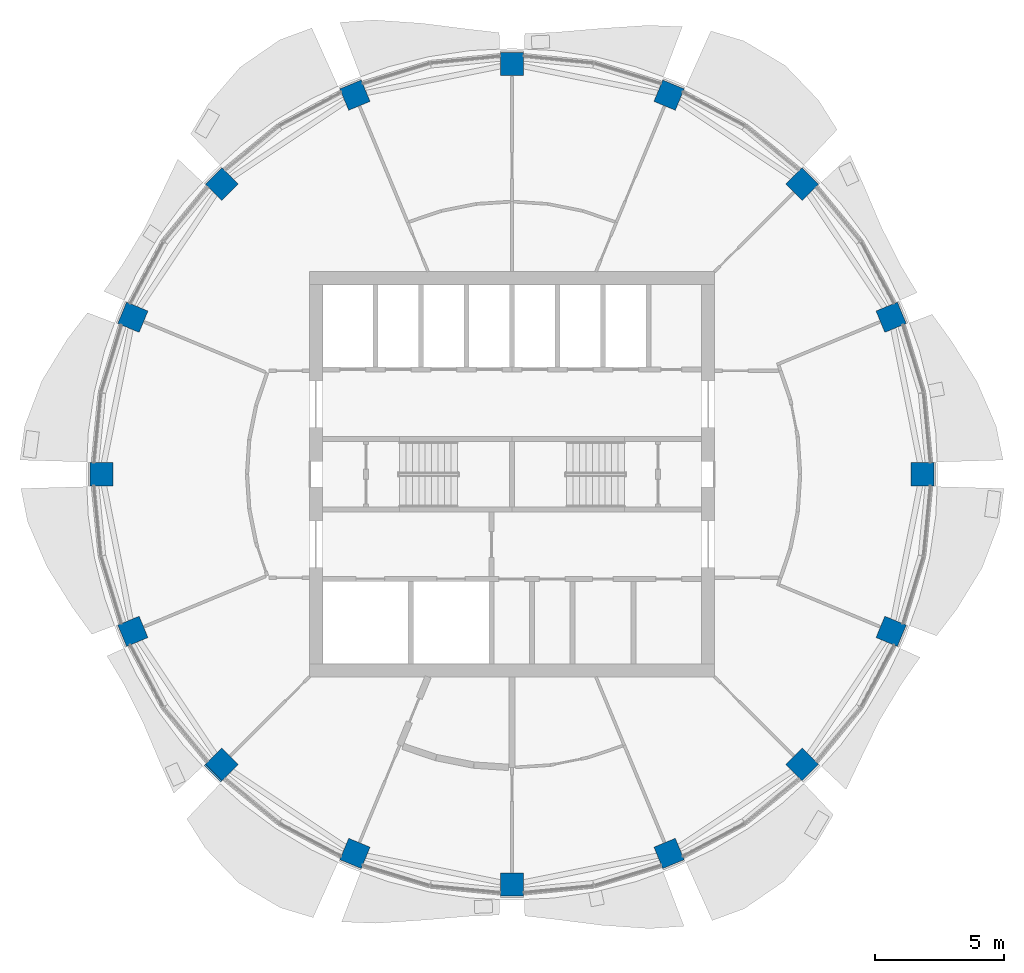
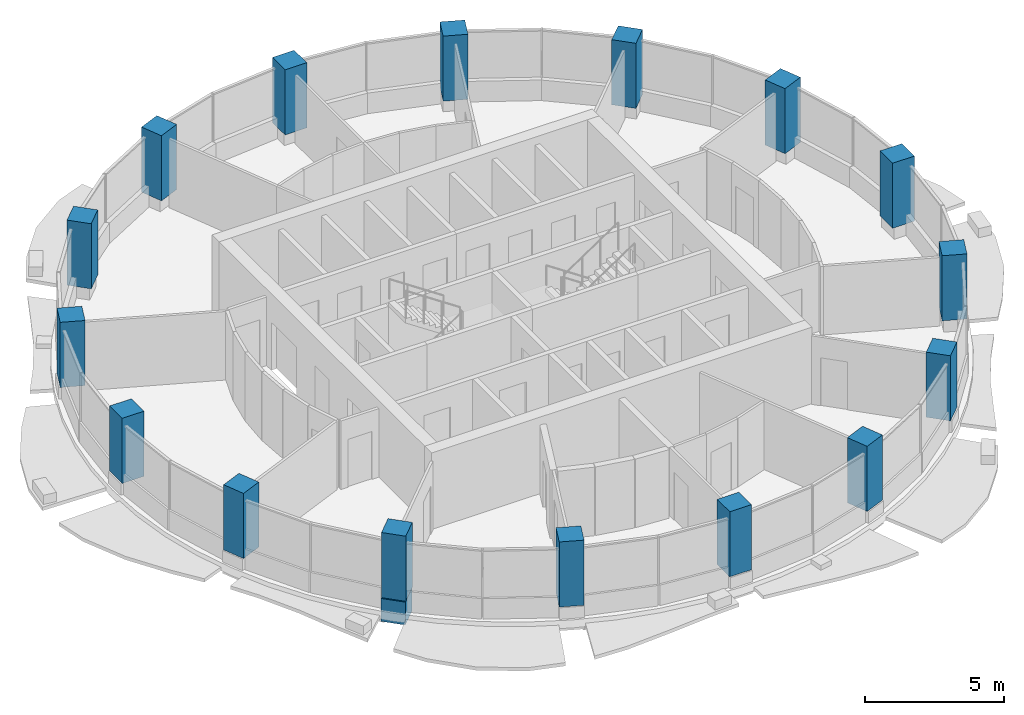
# One storey, part 1 of 15: 16 columns, 1 member.
"""IFC4 building model written with IfcOpenShell, lengths in metres."""

import ifcopenshell
import ifcopenshell.guid

model = None  # the IFC model being written
_history = None  # IfcOwnerHistory: only IFC2X3 demands one
_inside = {}  # id of a spatial element -> (the spatial element, [elements in it])
_under = {}  # id of a project, library or spatial element -> (it, [spatial elements below it])
_declared = {}  # id of a project -> (the project, [libraries it declares])
_typed = {}  # id of a type object -> (the type object, [elements of that type])
_made_of = {}  # id of a material, layer set ... -> (it, [elements and type objects made of it])


def new_model(schema):
    """Start an empty IFC model of exactly this schema.

    Asked for "IFC4X3", IfcOpenShell would pick the latest addendum, in which some entities
    have other attributes; the version numbers below select the first issue.
    IFC2X3 requires an IfcOwnerHistory on every rooted entity: one is made here for all.
    """
    global model, _history
    if schema == "IFC4X3":
        model = ifcopenshell.file(schema_version=(4, 3, 0, 0))
    else:
        model = ifcopenshell.file(schema=schema)
    _inside.clear()
    _under.clear()
    _declared.clear()
    _typed.clear()
    _made_of.clear()
    _history = None
    if model.schema == "IFC2X3":
        org = make("IfcOrganization", Name="unknown")
        user = make(
            "IfcPersonAndOrganization",
            ThePerson=make("IfcPerson", FamilyName="unknown"),
            TheOrganization=org,
        )
        app = make(
            "IfcApplication",
            ApplicationDeveloper=org,
            Version="unknown",
            ApplicationFullName="unknown",
            ApplicationIdentifier="unknown",
        )
        _history = make(
            "IfcOwnerHistory",
            OwningUser=user,
            OwningApplication=app,
            ChangeAction="ADDED",
            CreationDate=0,
        )
    return model


def make(cls, **values):
    """One entity of the class cls with the attributes given. An attribute that is None is left unset."""
    return model.create_entity(
        cls, **{name: value for name, value in values.items() if value is not None}
    )


def rooted(cls, **values):
    """An entity with a GlobalId (a new one), such as an element, a storey or a relation."""
    return make(cls, GlobalId=ifcopenshell.guid.new(), OwnerHistory=_history, **values)


def si_unit(unit_type, name, prefix=None):
    """IfcSIUnit, for example si_unit("LENGTHUNIT", "METRE", prefix="MILLI")."""
    return make("IfcSIUnit", UnitType=unit_type, Prefix=prefix, Name=name)


def assignment(units):
    """IfcUnitAssignment: the units of a project."""
    return None if units is None else make("IfcUnitAssignment", Units=units)


def point(xyz):
    """IfcCartesianPoint."""
    return None if xyz is None else make("IfcCartesianPoint", Coordinates=xyz)


def direction(xyz):
    """IfcDirection."""
    return None if xyz is None else make("IfcDirection", DirectionRatios=xyz)


def frame(location, z_axis=None, x_axis=None):
    """IfcAxis2Placement3D, a coordinate frame: its origin and axes. An axis left out is left unset."""
    return make(
        "IfcAxis2Placement3D",
        Location=point(location),
        Axis=direction(z_axis),
        RefDirection=direction(x_axis),
    )


def frame_2d(location, x_axis=None):
    """IfcAxis2Placement2D, a coordinate frame in the plane: its origin and x axis."""
    return make(
        "IfcAxis2Placement2D", Location=point(location), RefDirection=direction(x_axis)
    )


def origin():
    """The frame at (0, 0, 0) with its axes left unset."""
    return frame((0.0, 0.0, 0.0))


def origin_2d():
    """The frame at (0, 0) in the plane with its x axis left unset."""
    return frame_2d((0.0, 0.0))


def place(relative_to, where):
    """IfcLocalPlacement: puts the frame where relative to a parent placement (None: the world)."""
    return make(
        "IfcLocalPlacement", PlacementRelTo=relative_to, RelativePlacement=where
    )


def context(
    kind, dimensions, precision=None, world=None, true_north=None, identifier=None
):
    """IfcGeometricRepresentationContext, for example the 3D "Model" context."""
    return make(
        "IfcGeometricRepresentationContext",
        ContextIdentifier=identifier,
        ContextType=kind,
        CoordinateSpaceDimension=dimensions,
        Precision=precision,
        WorldCoordinateSystem=world,
        TrueNorth=true_north,
    )


def subcontext(parent, identifier, kind, view, scale=None):
    """IfcGeometricRepresentationSubContext, for example "Body" below "Model"."""
    return make(
        "IfcGeometricRepresentationSubContext",
        ContextIdentifier=identifier,
        ContextType=kind,
        ParentContext=parent,
        TargetScale=scale,
        TargetView=view,
    )


def project(units=None, contexts=None):
    """IfcProject with its units and contexts."""
    return rooted(
        "IfcProject",
        Name="project",
        RepresentationContexts=contexts,
        UnitsInContext=assignment(units),
    )


def spatial(cls, under=None, at=None, **own):
    """A site, building, storey or space (cls), placed at a placement, below another one or the project."""
    s = rooted(cls, ObjectPlacement=at, **own)
    if under is not None:
        _under.setdefault(under.id(), (under, []))[1].append(s)
    return s


def profile(cls, at=None, kind="AREA", **sizes):
    """A parametric profile (cls). Its sizes go by their IFC names, for example OverallWidth=200.0."""
    return make(cls, ProfileType=kind, Position=at, **sizes)


def rectangle(**sizes):
    """IfcRectangleProfileDef."""
    return profile("IfcRectangleProfileDef", **sizes)


def extrude(swept, where, along, depth):
    """IfcExtrudedAreaSolid: the profile swept, set in the frame where, extruded along a direction by depth."""
    return make(
        "IfcExtrudedAreaSolid",
        SweptArea=swept,
        Position=where,
        ExtrudedDirection=direction(along),
        Depth=depth,
    )


def shape(context_of_items, identifier, shape_type, items):
    """IfcShapeRepresentation: the items that make up one representation, for example the "Body"."""
    return make(
        "IfcShapeRepresentation",
        ContextOfItems=context_of_items,
        RepresentationIdentifier=identifier,
        RepresentationType=shape_type,
        Items=items,
    )


def material(Name=None, Category=None):
    """IfcMaterial."""
    return make("IfcMaterial", Name=Name, Category=Category)


def material_profile(
    of_material, cross_section, Name=None, Category=None, Priority=None
):
    """IfcMaterialProfile: a cross section and its material."""
    return make(
        "IfcMaterialProfile",
        Name=Name,
        Material=of_material,
        Profile=cross_section,
        Priority=Priority,
        Category=Category,
    )


def profile_set(profiles, Name=None, composite=None):
    """IfcMaterialProfileSet."""
    return make(
        "IfcMaterialProfileSet",
        Name=Name,
        MaterialProfiles=profiles,
        CompositeProfile=composite,
    )


def made_of(thing, what):
    """Note that an element or type object is made of a material, layer set ...; save() writes the relation."""
    if what is not None:
        _made_of.setdefault(what.id(), (what, []))[1].append(thing)
    return thing


def type_object(cls, material=None, **own):
    """A type object (cls), such as IfcWallType, which elements share."""
    return made_of(rooted(cls, **own), material)


def element(
    cls,
    number,
    at=None,
    inside=None,
    cuts=None,
    type_object=None,
    material=None,
    context=None,
    identifier="Body",
    shape_type=None,
    held_by="IfcProductDefinitionShape",
    body=None,
    shapes=None,
    **own,
):
    """One element of the class cls, such as IfcWall. Its Tag is "e" and its number.

    at: its placement. inside: the storey or other place that contains it. cuts: it is an
    opening in that element (IfcRelVoidsElement). A single representation is given by context,
    identifier, shape_type and body (its items); several are given by shapes. held_by: the class
    of the entity that holds the representations. save() writes the other relations.
    """
    e = rooted(cls, Tag="e%d" % number, ObjectPlacement=at, **own)
    if body is not None:
        shapes = [shape(context, identifier, shape_type, body)]
    if shapes is not None:
        e.Representation = make(held_by, Representations=shapes)
    if inside is not None:
        _inside.setdefault(inside.id(), (inside, []))[1].append(e)
    if cuts is not None:
        rooted(
            "IfcRelVoidsElement", RelatingBuildingElement=cuts, RelatedOpeningElement=e
        )
    if type_object is not None:
        _typed.setdefault(type_object.id(), (type_object, []))[1].append(e)
    return made_of(e, material)


def aggregate(whole, parts):
    """IfcRelAggregates: a whole, such as a stair, and the parts it consists of."""
    return rooted("IfcRelAggregates", RelatingObject=whole, RelatedObjects=parts)


def save(model, path):
    """Write the relations noted so far, then the file.

    IfcRelAggregates (storeys below a building ...), IfcRelContainedInSpatialStructure (elements
    in a storey), IfcRelDefinesByType, IfcRelAssociatesMaterial and IfcRelDeclares: one each for
    every whole, place, type object, material and project.
    """
    for whole, parts in _under.values():
        aggregate(whole, parts)
    for where, things in _inside.values():
        rooted(
            "IfcRelContainedInSpatialStructure",
            RelatedElements=things,
            RelatingStructure=where,
        )
    for kind, things in _typed.values():
        rooted("IfcRelDefinesByType", RelatedObjects=things, RelatingType=kind)
    for what, things in _made_of.values():
        rooted("IfcRelAssociatesMaterial", RelatedObjects=things, RelatingMaterial=what)
    for by, libraries in _declared.values():
        rooted("IfcRelDeclares", RelatingContext=by, RelatedDefinitions=libraries)
    model.write(path)


model = new_model("IFC4")

# Units and contexts
model_context = context("Model", 3, precision=1e-05, world=origin(), true_north=direction((0.0, 1.0)))
body_context = subcontext(model_context, "Body", "Model", "MODEL_VIEW")
ifc_project = project(units=[si_unit("LENGTHUNIT", "METRE"), si_unit("AREAUNIT", "SQUARE_METRE"), si_unit("VOLUMEUNIT", "CUBIC_METRE"), si_unit("PLANEANGLEUNIT", "RADIAN"), si_unit("MASSUNIT", "GRAM", prefix="KILO")], contexts=[model_context])

# Site, building, storey
site_placement = place(None, origin())
site = spatial("IfcSite", under=ifc_project, at=site_placement, CompositionType="ELEMENT")
building_placement = place(site_placement, origin())
building = spatial("IfcBuilding", under=site, at=building_placement, Name="Polderwave Tower", CompositionType="ELEMENT")
storey_placement = place(building_placement, frame((0.0, 0.0, 207.75)))
storey = spatial("IfcBuildingStorey", under=building, at=storey_placement, Name="L56", CompositionType="ELEMENT", Elevation=207.75)

# Columns
ifc_material = material(Name="Concrete C60/75", Category="concrete")
ifc_material_profile_1 = material_profile(ifc_material, rectangle(XDim=0.89990234375, YDim=0.89990234375, at=origin_2d()), Name="RC 900x900")
ifc_profile_set_1 = profile_set([ifc_material_profile_1], Name="Concrete C60/75")
column_type = type_object("IfcColumnType", Name="RC COLUMN 900x900 C60/75", PredefinedType="COLUMN", material=ifc_profile_set_1)
for number, where, z_axis, x_axis, name in (
    (1, (15.949951171875, 0.0, 0.5), (0.0, 0.0, 1.0), (1.0, 0.0, 0.0), "Ring column 01"),
    (2, (14.73583984375, 6.103759765625, 0.5), (0.0, 0.0, 1.0), (0.923879532511, 0.382683432365, 0.0), "Ring column 02"),
    (3, (11.2783203125, 11.2783203125, 0.5), (0.0, 0.0, 1.0), (0.707106781187, 0.707106781187, 0.0), "Ring column 03"),
    (4, (6.103759765625, 14.73583984375, 0.5), (0.0, 0.0, 1.0), (0.382683432365, 0.923879532511, 0.0), "Ring column 04"),
    (5, (0.0, 15.949951171875, 0.5), (0.0, 0.0, 1.0), (0.0, 1.0, 0.0), "Ring column 05"),
    (6, (-6.103759765625, 14.73583984375, 0.5), (0.0, 0.0, 1.0), (-0.382683432365, 0.923879532511, 0.0), "Ring column 06"),
    (7, (-11.2783203125, 11.2783203125, 0.5), (0.0, 0.0, 1.0), (-0.707106781187, 0.707106781187, 0.0), "Ring column 07"),
    (8, (-14.73583984375, 6.103759765625, 0.5), (0.0, 0.0, 1.0), (-0.923879532511, 0.382683432365, 0.0), "Ring column 08"),
    (9, (-15.949951171875, 0.0, 0.5), (0.0, 0.0, 1.0), (-1.0, 0.0, 0.0), "Ring column 09"),
    (10, (-14.73583984375, -6.103759765625, 0.5), (0.0, 0.0, 1.0), (-0.923879532511, -0.382683432365, 0.0), "Ring column 10"),
    (11, (-11.2783203125, -11.2783203125, 0.5), (0.0, 0.0, 1.0), (-0.707106781187, -0.707106781187, 0.0), "Ring column 11"),
    (12, (-6.103759765625, -14.73583984375, 0.5), (0.0, 0.0, 1.0), (-0.382683432365, -0.923879532511, 0.0), "Ring column 12"),
    (13, (0.0, -15.949951171875, 0.5), (0.0, 0.0, 1.0), (0.0, -1.0, 0.0), "Ring column 13"),
    (14, (6.103759765625, -14.73583984375, 0.5), (0.0, 0.0, 1.0), (0.382683432365, -0.923879532511, 0.0), "Ring column 14"),
    (15, (11.2783203125, -11.2783203125, 0.5), (0.0, 0.0, 1.0), (0.707106781187, -0.707106781187, 0.0), "Ring column 15"),
    (16, (14.73583984375, -6.103759765625, 0.5), (0.0, 0.0, 1.0), (0.923879532511, -0.382683432365, 0.0), "Ring column 16"),
):
    element("IfcColumn", number, at=place(storey_placement, frame(where, z_axis=z_axis, x_axis=x_axis)), inside=storey, type_object=column_type, Name=name, PredefinedType="COLUMN", context=body_context, shape_type="SweptSolid", body=[
        extrude(rectangle(XDim=0.89990234375, YDim=0.89990234375, at=origin_2d()), origin(), (0.0, 0.0, 1.0), 2.85009765625),
    ])

# Member
ifc_material_profile_2 = material_profile(ifc_material, rectangle(XDim=0.89990234375, YDim=0.89990234375, at=origin_2d()), Name="RC 900x900")
ifc_profile_set_2 = profile_set([ifc_material_profile_2], Name="Concrete C60/75")
member_type = type_object("IfcMemberType", Name="RC NODE 900x900 C60/75", PredefinedType="POST", material=ifc_profile_set_2)
member_placement = place(storey_placement, frame((-11.31787109375, -11.31787109375, -0.5), z_axis=(0.0, 0.0, 1.0), x_axis=(-0.707106781187, -0.707106781187, 0.0)))
element("IfcMember", 17, at=member_placement, inside=storey, type_object=member_type, Name="Ring column node 11", PredefinedType="POST", context=body_context, shape_type="SweptSolid", body=[
    extrude(rectangle(XDim=0.89990234375, YDim=0.89990234375, at=origin_2d()), origin(), (0.0, 0.0, 1.0), 1.0),
])

save(model, "model.ifc")
